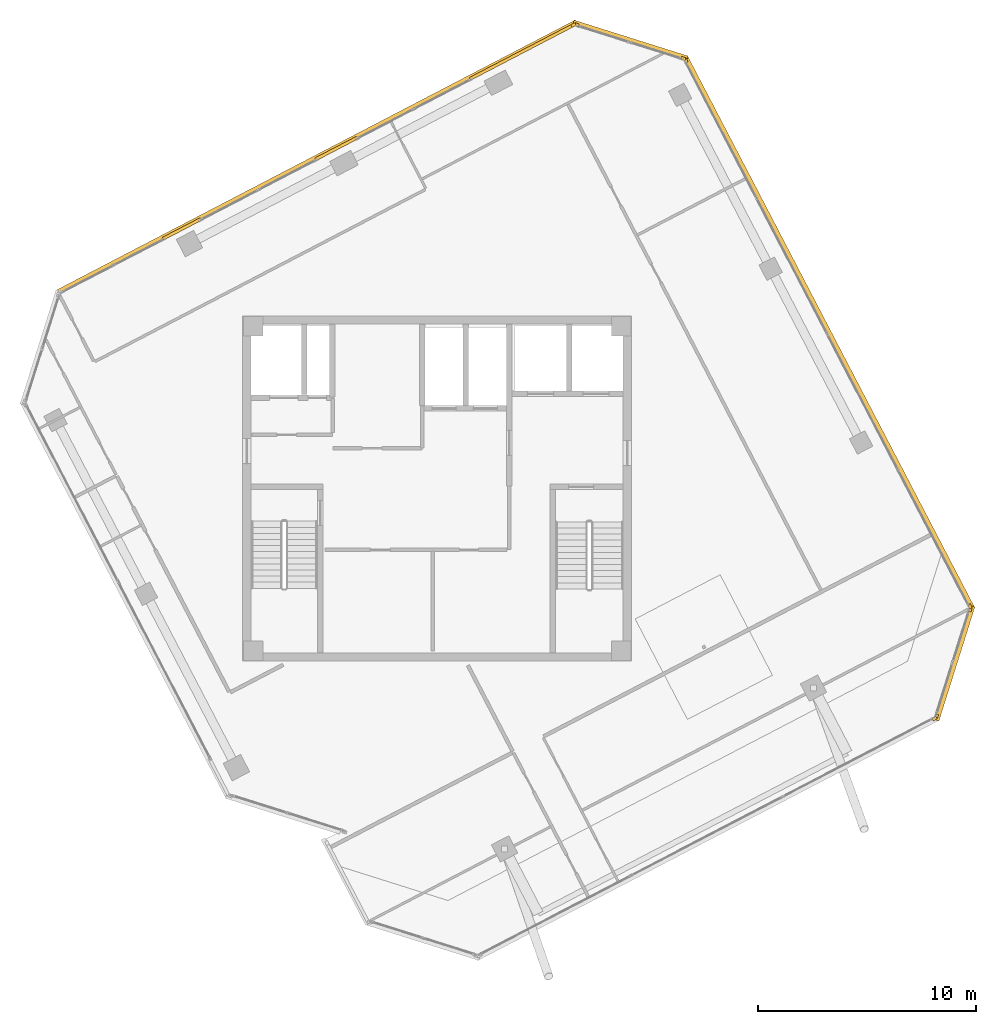
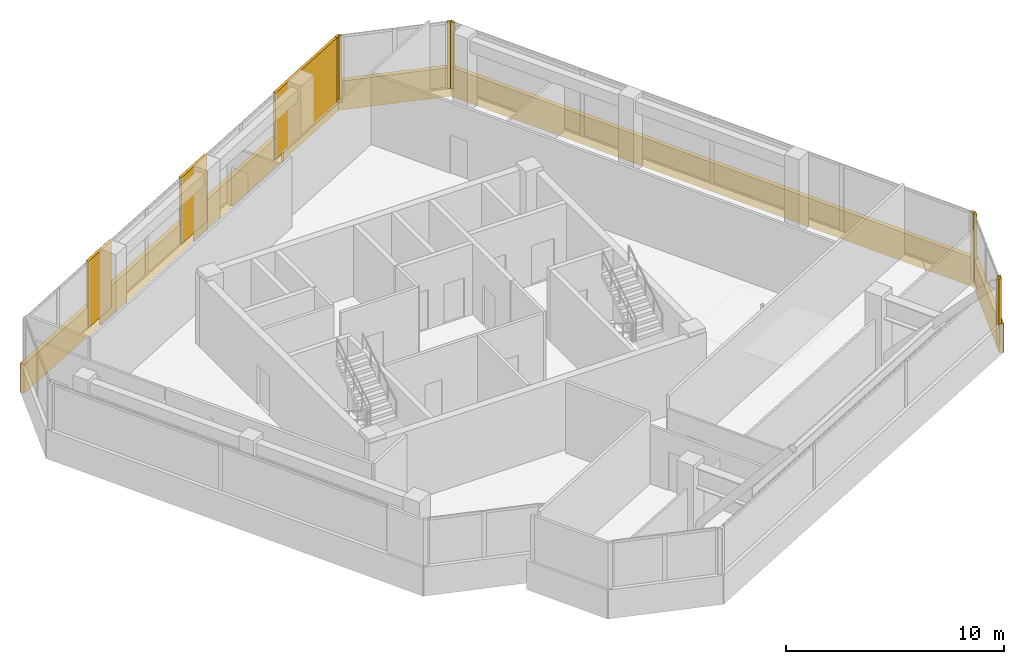
# One storey, part 17 of 17: 15 coverings.
"""IFC4 building model written with IfcOpenShell, lengths in metres."""

import ifcopenshell
import ifcopenshell.guid

model = None  # the IFC model being written
_history = None  # IfcOwnerHistory: only IFC2X3 demands one
_inside = {}  # id of a spatial element -> (the spatial element, [elements in it])
_under = {}  # id of a project, library or spatial element -> (it, [spatial elements below it])
_declared = {}  # id of a project -> (the project, [libraries it declares])
_typed = {}  # id of a type object -> (the type object, [elements of that type])
_made_of = {}  # id of a material, layer set ... -> (it, [elements and type objects made of it])


def new_model(schema):
    """Start an empty IFC model of exactly this schema.

    Asked for "IFC4X3", IfcOpenShell would pick the latest addendum, in which some entities
    have other attributes; the version numbers below select the first issue.
    IFC2X3 requires an IfcOwnerHistory on every rooted entity: one is made here for all.
    """
    global model, _history
    if schema == "IFC4X3":
        model = ifcopenshell.file(schema_version=(4, 3, 0, 0))
    else:
        model = ifcopenshell.file(schema=schema)
    _inside.clear()
    _under.clear()
    _declared.clear()
    _typed.clear()
    _made_of.clear()
    _history = None
    if model.schema == "IFC2X3":
        org = make("IfcOrganization", Name="unknown")
        user = make(
            "IfcPersonAndOrganization",
            ThePerson=make("IfcPerson", FamilyName="unknown"),
            TheOrganization=org,
        )
        app = make(
            "IfcApplication",
            ApplicationDeveloper=org,
            Version="unknown",
            ApplicationFullName="unknown",
            ApplicationIdentifier="unknown",
        )
        _history = make(
            "IfcOwnerHistory",
            OwningUser=user,
            OwningApplication=app,
            ChangeAction="ADDED",
            CreationDate=0,
        )
    return model


def make(cls, **values):
    """One entity of the class cls with the attributes given. An attribute that is None is left unset."""
    return model.create_entity(
        cls, **{name: value for name, value in values.items() if value is not None}
    )


def rooted(cls, **values):
    """An entity with a GlobalId (a new one), such as an element, a storey or a relation."""
    return make(cls, GlobalId=ifcopenshell.guid.new(), OwnerHistory=_history, **values)


def si_unit(unit_type, name, prefix=None):
    """IfcSIUnit, for example si_unit("LENGTHUNIT", "METRE", prefix="MILLI")."""
    return make("IfcSIUnit", UnitType=unit_type, Prefix=prefix, Name=name)


def assignment(units):
    """IfcUnitAssignment: the units of a project."""
    return None if units is None else make("IfcUnitAssignment", Units=units)


def point(xyz):
    """IfcCartesianPoint."""
    return None if xyz is None else make("IfcCartesianPoint", Coordinates=xyz)


def direction(xyz):
    """IfcDirection."""
    return None if xyz is None else make("IfcDirection", DirectionRatios=xyz)


def frame(location, z_axis=None, x_axis=None):
    """IfcAxis2Placement3D, a coordinate frame: its origin and axes. An axis left out is left unset."""
    return make(
        "IfcAxis2Placement3D",
        Location=point(location),
        Axis=direction(z_axis),
        RefDirection=direction(x_axis),
    )


def frame_2d(location, x_axis=None):
    """IfcAxis2Placement2D, a coordinate frame in the plane: its origin and x axis."""
    return make(
        "IfcAxis2Placement2D", Location=point(location), RefDirection=direction(x_axis)
    )


def origin():
    """The frame at (0, 0, 0) with its axes left unset."""
    return frame((0.0, 0.0, 0.0))


def origin_2d():
    """The frame at (0, 0) in the plane with its x axis left unset."""
    return frame_2d((0.0, 0.0))


def place(relative_to, where):
    """IfcLocalPlacement: puts the frame where relative to a parent placement (None: the world)."""
    return make(
        "IfcLocalPlacement", PlacementRelTo=relative_to, RelativePlacement=where
    )


def context(
    kind, dimensions, precision=None, world=None, true_north=None, identifier=None
):
    """IfcGeometricRepresentationContext, for example the 3D "Model" context."""
    return make(
        "IfcGeometricRepresentationContext",
        ContextIdentifier=identifier,
        ContextType=kind,
        CoordinateSpaceDimension=dimensions,
        Precision=precision,
        WorldCoordinateSystem=world,
        TrueNorth=true_north,
    )


def subcontext(parent, identifier, kind, view, scale=None):
    """IfcGeometricRepresentationSubContext, for example "Body" below "Model"."""
    return make(
        "IfcGeometricRepresentationSubContext",
        ContextIdentifier=identifier,
        ContextType=kind,
        ParentContext=parent,
        TargetScale=scale,
        TargetView=view,
    )


def project(units=None, contexts=None):
    """IfcProject with its units and contexts."""
    return rooted(
        "IfcProject",
        Name="project",
        RepresentationContexts=contexts,
        UnitsInContext=assignment(units),
    )


def spatial(cls, under=None, at=None, **own):
    """A site, building, storey or space (cls), placed at a placement, below another one or the project."""
    s = rooted(cls, ObjectPlacement=at, **own)
    if under is not None:
        _under.setdefault(under.id(), (under, []))[1].append(s)
    return s


def profile(cls, at=None, kind="AREA", **sizes):
    """A parametric profile (cls). Its sizes go by their IFC names, for example OverallWidth=200.0."""
    return make(cls, ProfileType=kind, Position=at, **sizes)


def rectangle(**sizes):
    """IfcRectangleProfileDef."""
    return profile("IfcRectangleProfileDef", **sizes)


def extrude(swept, where, along, depth):
    """IfcExtrudedAreaSolid: the profile swept, set in the frame where, extruded along a direction by depth."""
    return make(
        "IfcExtrudedAreaSolid",
        SweptArea=swept,
        Position=where,
        ExtrudedDirection=direction(along),
        Depth=depth,
    )


def shape(context_of_items, identifier, shape_type, items):
    """IfcShapeRepresentation: the items that make up one representation, for example the "Body"."""
    return make(
        "IfcShapeRepresentation",
        ContextOfItems=context_of_items,
        RepresentationIdentifier=identifier,
        RepresentationType=shape_type,
        Items=items,
    )


def source(mapping_origin, context_of_items, identifier, shape_type, items):
    """IfcRepresentationMap: a shape defined once, which mapped items show again and again."""
    return make(
        "IfcRepresentationMap",
        MappingOrigin=mapping_origin,
        MappedRepresentation=shape(context_of_items, identifier, shape_type, items),
    )


def transform(
    local_origin,
    x_axis=None,
    y_axis=None,
    z_axis=None,
    scale=None,
    scale2=None,
    scale3=None,
    uniform=True,
):
    """IfcCartesianTransformationOperator3D, or its non-uniform kind. x_axis, y_axis, z_axis: its Axis1, 2, 3."""
    if uniform:
        return make(
            "IfcCartesianTransformationOperator3D",
            Axis1=direction(x_axis),
            Axis2=direction(y_axis),
            LocalOrigin=point(local_origin),
            Scale=scale,
            Axis3=direction(z_axis),
        )
    return make(
        "IfcCartesianTransformationOperator3DnonUniform",
        Axis1=direction(x_axis),
        Axis2=direction(y_axis),
        LocalOrigin=point(local_origin),
        Scale=scale,
        Axis3=direction(z_axis),
        Scale2=scale2,
        Scale3=scale3,
    )


def mapped(mapping_source, mapping_target):
    """IfcMappedItem: shows the shape of a source again, moved by a transform."""
    return make(
        "IfcMappedItem", MappingSource=mapping_source, MappingTarget=mapping_target
    )


def material(Name=None, Category=None):
    """IfcMaterial."""
    return make("IfcMaterial", Name=Name, Category=Category)


def layer(
    of_material, thickness, ventilated=None, Name=None, Category=None, Priority=None
):
    """IfcMaterialLayer: one layer of a wall or slab, of a material (None: an air gap)."""
    return make(
        "IfcMaterialLayer",
        Material=of_material,
        LayerThickness=thickness,
        IsVentilated=ventilated,
        Name=Name,
        Category=Category,
        Priority=Priority,
    )


def layer_set(layers, Name=None):
    """IfcMaterialLayerSet."""
    return make("IfcMaterialLayerSet", MaterialLayers=layers, LayerSetName=Name)


def made_of(thing, what):
    """Note that an element or type object is made of a material, layer set ...; save() writes the relation."""
    if what is not None:
        _made_of.setdefault(what.id(), (what, []))[1].append(thing)
    return thing


def type_object(cls, material=None, **own):
    """A type object (cls), such as IfcWallType, which elements share."""
    return made_of(rooted(cls, **own), material)


def element(
    cls,
    number,
    at=None,
    inside=None,
    cuts=None,
    type_object=None,
    material=None,
    context=None,
    identifier="Body",
    shape_type=None,
    held_by="IfcProductDefinitionShape",
    body=None,
    shapes=None,
    **own,
):
    """One element of the class cls, such as IfcWall. Its Tag is "e" and its number.

    at: its placement. inside: the storey or other place that contains it. cuts: it is an
    opening in that element (IfcRelVoidsElement). A single representation is given by context,
    identifier, shape_type and body (its items); several are given by shapes. held_by: the class
    of the entity that holds the representations. save() writes the other relations.
    """
    e = rooted(cls, Tag="e%d" % number, ObjectPlacement=at, **own)
    if body is not None:
        shapes = [shape(context, identifier, shape_type, body)]
    if shapes is not None:
        e.Representation = make(held_by, Representations=shapes)
    if inside is not None:
        _inside.setdefault(inside.id(), (inside, []))[1].append(e)
    if cuts is not None:
        rooted(
            "IfcRelVoidsElement", RelatingBuildingElement=cuts, RelatedOpeningElement=e
        )
    if type_object is not None:
        _typed.setdefault(type_object.id(), (type_object, []))[1].append(e)
    return made_of(e, material)


def aggregate(whole, parts):
    """IfcRelAggregates: a whole, such as a stair, and the parts it consists of."""
    return rooted("IfcRelAggregates", RelatingObject=whole, RelatedObjects=parts)


def save(model, path):
    """Write the relations noted so far, then the file.

    IfcRelAggregates (storeys below a building ...), IfcRelContainedInSpatialStructure (elements
    in a storey), IfcRelDefinesByType, IfcRelAssociatesMaterial and IfcRelDeclares: one each for
    every whole, place, type object, material and project.
    """
    for whole, parts in _under.values():
        aggregate(whole, parts)
    for where, things in _inside.values():
        rooted(
            "IfcRelContainedInSpatialStructure",
            RelatedElements=things,
            RelatingStructure=where,
        )
    for kind, things in _typed.values():
        rooted("IfcRelDefinesByType", RelatedObjects=things, RelatingType=kind)
    for what, things in _made_of.values():
        rooted("IfcRelAssociatesMaterial", RelatedObjects=things, RelatingMaterial=what)
    for by, libraries in _declared.values():
        rooted("IfcRelDeclares", RelatingContext=by, RelatedDefinitions=libraries)
    model.write(path)


model = new_model("IFC4")

# Units and contexts
model_context = context("Model", 3, precision=1e-05, world=origin(), true_north=direction((0.0, 1.0)))
body_context = subcontext(model_context, "Body", "Model", "MODEL_VIEW")
ifc_project = project(units=[si_unit("LENGTHUNIT", "METRE"), si_unit("AREAUNIT", "SQUARE_METRE"), si_unit("VOLUMEUNIT", "CUBIC_METRE"), si_unit("PLANEANGLEUNIT", "RADIAN"), si_unit("MASSUNIT", "GRAM", prefix="KILO")], contexts=[model_context])

# Site, building, storey
site_placement = place(None, origin())
site = spatial("IfcSite", under=ifc_project, at=site_placement, CompositionType="ELEMENT")
building_placement = place(site_placement, origin())
building = spatial("IfcBuilding", under=site, at=building_placement, Name="Torre Montelarca", CompositionType="ELEMENT")
storey_placement = place(building_placement, frame((0.0, 0.0, 332.39990234375)))
storey = spatial("IfcBuildingStorey", under=building, at=storey_placement, Name="L75", CompositionType="ELEMENT", Elevation=332.39990234375)

# Coverings
ifc_material = material(Name="Bush-hammered warm white precast concrete C45/55", Category="concrete")
ifc_layer = layer(ifc_material, 0.139892578125, Name="Bush-hammered warm white precast concrete C45/55", Category="concrete")
ifc_layer_set = layer_set([ifc_layer], Name="Bush-hammered warm white precast concrete C45/55")
covering_type = type_object("IfcCoveringType", Name="COV-TRAY-CLAD", PredefinedType="CLADDING", material=ifc_layer_set)
shared_shape_1 = source(origin(), body_context, "Body", "SweptSolid", [
    extrude(rectangle(XDim=0.199951171875, YDim=0.139892578125, at=origin_2d()), origin(), (0.0, 0.0, 1.0), 3.719970703125),
])
for number, where, z_axis, x_axis, name in (
    (1, (40.850830078125, 21.430908203125, 0.0), (0.0, 0.0, 1.0), (0.88701163908, 0.461747065108, 0.0), "L75 Architectural Column Pier Cladding E06-2"),
    (2, (40.944091796875, 21.542236328125, 0.0), (0.0, 0.0, 1.0), (0.30070080585, 0.953718525227, 0.0), "L75 Architectural Column Pier Cladding E07-1"),
    (3, (42.490478515625, 26.446533203125, 0.0), (0.0, 0.0, 1.0), (0.30070080585, 0.953718525227, 0.0), "L75 Architectural Column Pier Cladding E07-2"),
    (4, (42.477783203125, 26.591064453125, 0.0), (0.0, 0.0, 1.0), (-0.461747065108, 0.88701163908, 0.0), "L75 Architectural Column Pier Cladding E08-1"),
    (5, (29.425048828125, 51.66552734375, 0.0), (0.0, 0.0, 1.0), (-0.461747065108, 0.88701163908, 0.0), "L75 Architectural Column Pier Cladding E08-2"),
    (6, (29.313720703125, 51.7587890625, 0.0), (0.0, 0.0, 1.0), (-0.953718525227, 0.30070080585, 0.0), "L75 Architectural Column Pier Cladding E09-1"),
    (7, (24.409423828125, 53.30517578125, 0.0), (0.0, 0.0, 1.0), (-0.953718525227, 0.30070080585, 0.0), "L75 Architectural Column Pier Cladding E09-2"),
    (8, (24.264892578125, 53.29248046875, 0.0), (0.0, 0.0, 1.0), (-0.887010833178, -0.461748613235, 0.0), "L75 Architectural Column Pier Cladding E10-1"),
):
    element("IfcCovering", number, at=place(storey_placement, frame(where, z_axis=z_axis, x_axis=x_axis)), inside=storey, type_object=covering_type, Name=name, PredefinedType="CLADDING", context=body_context, shape_type="MappedRepresentation", body=[
        mapped(shared_shape_1, transform((0.0, 0.0, 0.0), scale=1.0)),
    ])
shared_shape_2 = source(origin(), body_context, "Body", "SweptSolid", [
    extrude(rectangle(XDim=2.159912109375, YDim=0.139892578125, at=origin_2d()), origin(), (0.0, 0.0, 1.0), 3.719970703125),
])
covering_1_placement = place(storey_placement, frame((13.36865234375, 47.6201171875, 0.0), z_axis=(0.0, 0.0, 1.0), x_axis=(-0.887010833178, -0.461748613235, 0.0)))
element("IfcCovering", 9, at=covering_1_placement, inside=storey, type_object=covering_type, Name="L75 Architectural Column Pier Cladding E10-3", PredefinedType="CLADDING", context=body_context, shape_type="MappedRepresentation", body=[
    mapped(shared_shape_2, transform((0.0, 0.0, 0.0), scale=1.0)),
])
shared_shape_3 = source(origin(), body_context, "Body", "SweptSolid", [
    extrude(rectangle(XDim=1.9599609375, YDim=0.139892578125, at=origin_2d()), origin(), (0.0, 0.0, 1.0), 3.719970703125),
])
covering_2_placement = place(storey_placement, frame((6.2724609375, 43.92626953125, 0.0), z_axis=(0.0, 0.0, 1.0), x_axis=(-0.887010833178, -0.461748613235, 0.0)))
element("IfcCovering", 10, at=covering_2_placement, inside=storey, type_object=covering_type, Name="L75 Architectural Column Pier Cladding E10-4", PredefinedType="CLADDING", context=body_context, shape_type="MappedRepresentation", body=[
    mapped(shared_shape_3, transform((0.0, 0.0, 0.0), scale=1.0)),
])
shared_shape_4 = source(origin(), body_context, "Body", "SweptSolid", [
    extrude(rectangle(XDim=5.493896484375, YDim=0.219970703125, at=origin_2d()), origin(), (0.0, 0.0, 1.0), 1.6201171875),
])
for number, where, z_axis, x_axis, name in (
    (11, (41.7744140625, 23.976318359375, -0.449951171875), (0.0, 0.0, 1.0), (0.300705799504, 0.953716950748, 0.0), "L75 Architectural White Spandrel Tray Band TRYBOT-07"),
    (12, (26.879638671875, 52.589111328125, -0.449951171875), (0.0, 0.0, 1.0), (-0.953716950748, 0.300705799504, 0.0), "L75 Architectural White Spandrel Tray Band TRYBOT-09"),
):
    element("IfcCovering", number, at=place(storey_placement, frame(where, z_axis=z_axis, x_axis=x_axis)), inside=storey, type_object=covering_type, Name=name, PredefinedType="CLADDING", context=body_context, shape_type="MappedRepresentation", body=[
        mapped(shared_shape_4, transform((0.0, 0.0, 0.0), scale=1.0)),
    ])
shared_shape_5 = source(origin(), body_context, "Body", "SweptSolid", [
    extrude(rectangle(XDim=28.6201171875, YDim=0.219970703125, at=origin_2d()), origin(), (0.0, 0.0, 1.0), 1.6201171875),
])
covering_3_placement = place(storey_placement, frame((36.004638671875, 39.156005859375, -0.449951171875), z_axis=(0.0, 0.0, 1.0), x_axis=(-0.461747065108, 0.88701163908, 0.0)))
element("IfcCovering", 13, at=covering_3_placement, inside=storey, type_object=covering_type, Name="L75 Architectural White Spandrel Tray Band TRYBOT-08", PredefinedType="CLADDING", context=body_context, shape_type="MappedRepresentation", body=[
    mapped(shared_shape_5, transform((0.0, 0.0, 0.0), scale=1.0)),
])
shared_shape_6 = source(origin(), body_context, "Body", "SweptSolid", [
    extrude(rectangle(XDim=26.919921875, YDim=0.219970703125, at=origin_2d()), origin(), (0.0, 0.0, 1.0), 1.6201171875),
])
covering_4_placement = place(storey_placement, frame((12.453857421875, 47.211669921875, -0.449951171875), z_axis=(0.0, 0.0, 1.0), x_axis=(-0.887010027274, -0.46175016136, 0.0)))
element("IfcCovering", 14, at=covering_4_placement, inside=storey, type_object=covering_type, Name="L75 Architectural White Spandrel Tray Band TRYBOT-10", PredefinedType="CLADDING", context=body_context, shape_type="MappedRepresentation", body=[
    mapped(shared_shape_6, transform((0.0, 0.0, 0.0), scale=1.0)),
])
shared_shape_7 = source(origin(), body_context, "Body", "SweptSolid", [
    extrude(rectangle(XDim=5.3642578125, YDim=0.139892578125, at=origin_2d()), origin(), (0.0, 0.0, 1.0), 3.719970703125),
])
covering_5_placement = place(storey_placement, frame((21.8857421875, 52.053955078125, 0.0), z_axis=(0.0, 0.0, 1.0), x_axis=(-0.887010833178, -0.461748613235, 0.0)))
element("IfcCovering", 15, at=covering_5_placement, inside=storey, type_object=covering_type, Name="L75 Architectural Column Pier Cladding E10-2", PredefinedType="CLADDING", context=body_context, shape_type="MappedRepresentation", body=[
    mapped(shared_shape_7, transform((0.0, 0.0, 0.0), scale=1.0)),
])

save(model, "model.ifc")
